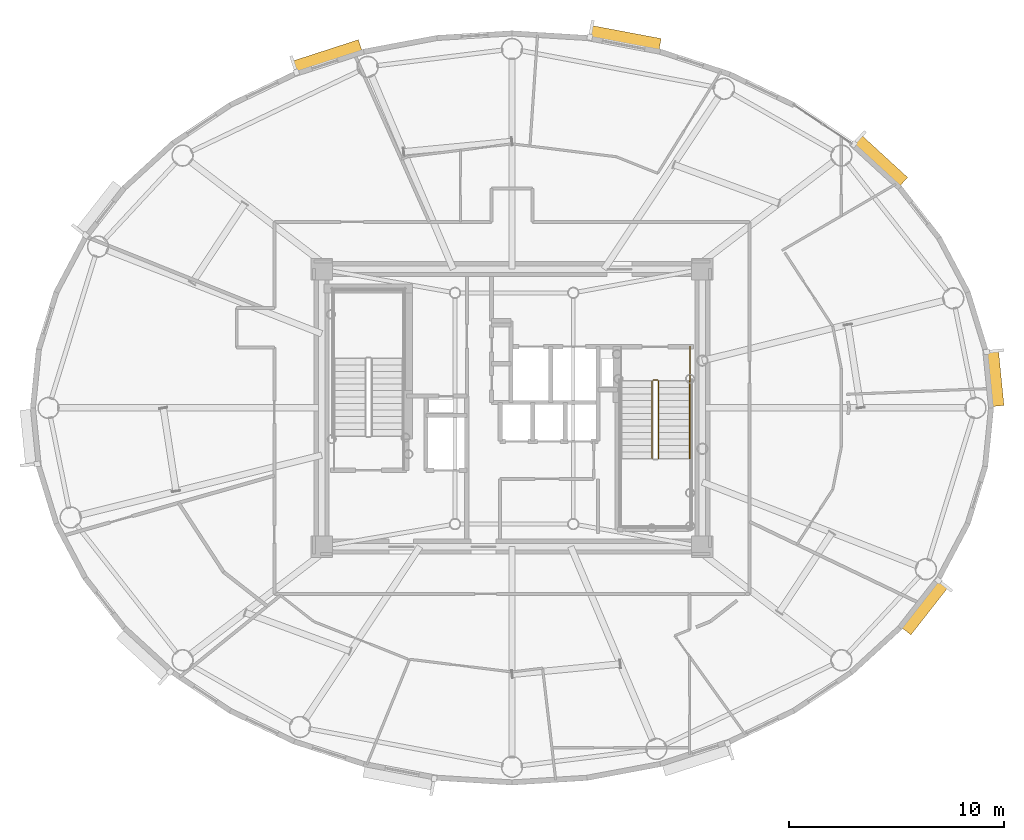
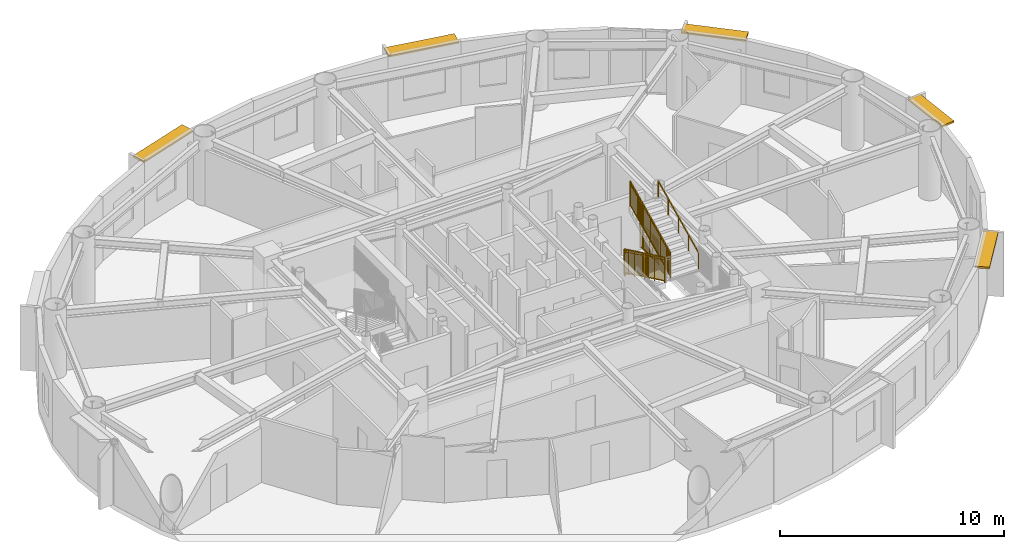
# One storey, part 16 of 16: 5 railings, 5 shading devices.
"""IFC4 building model written with IfcOpenShell, lengths in metres."""

from ifc_helpers import new_model, si_unit, direction, frame, origin, origin_2d, place, context, subcontext, project, spatial, rectangle, extrude, source, transform, mapped, material, layer, layer_set, type_object, element, save


model = new_model("IFC4")

# Units and contexts
model_context = context("Model", 3, precision=1e-05, world=origin(), true_north=direction((0.0, 1.0)))
body_context = subcontext(model_context, "Body", "Model", "MODEL_VIEW")
ifc_project = project(units=[si_unit("LENGTHUNIT", "METRE"), si_unit("AREAUNIT", "SQUARE_METRE"), si_unit("VOLUMEUNIT", "CUBIC_METRE"), si_unit("PLANEANGLEUNIT", "RADIAN"), si_unit("MASSUNIT", "GRAM", prefix="KILO")], contexts=[model_context])

# Site, building, storey
site_placement = place(None, origin())
site = spatial("IfcSite", under=ifc_project, at=site_placement, CompositionType="ELEMENT")
building_placement = place(site_placement, origin())
building = spatial("IfcBuilding", under=site, at=building_placement, Name="Linh Dai School and Residence Tower", CompositionType="ELEMENT")
storey_placement = place(building_placement, frame((0.0, 0.0, 306.75)))
storey = spatial("IfcBuildingStorey", under=building, at=storey_placement, Name="L76", CompositionType="ELEMENT", Elevation=306.75)

# Shading devices
ifc_material_1 = material(Name="Terracotta Ceramic Sunshade", Category="masonry")
ifc_layer = layer(ifc_material_1, 0.10009765625)
ifc_layer_set = layer_set([ifc_layer], Name="Terracotta Ceramic Sunshade")
shading_device_type = type_object("IfcShadingDeviceType", Name="SHD-TC-650", PredefinedType="USERDEFINED", material=ifc_layer_set)
shared_shape_1 = source(origin(), body_context, "Body", "SweptSolid", [
    extrude(rectangle(XDim=2.62353515625, YDim=0.64990234375, at=origin_2d()), origin(), (0.0, 0.0, 1.0), 0.10009765625),
])
shading_device_1_placement = place(storey_placement, frame((58.421875, 28.387939453125, 3.3798828125), z_axis=(0.0, 0.0, 1.0), x_axis=(0.100008034283, -0.994986629598, 0.0)))
element("IfcShadingDevice", 1, at=shading_device_1_placement, inside=storey, type_object=shading_device_type, Name="L76 Terracotta Horizontal Sunshade Band 01", ObjectType="SUNSHADE", PredefinedType="USERDEFINED", context=body_context, shape_type="MappedRepresentation", body=[
    mapped(shared_shape_1, transform((0.0, 0.0, 0.0), x_axis=(1.0, 0.0, 0.0), y_axis=(0.0, 1.0, 0.0), z_axis=(0.0, 0.0, 1.0), scale=1.0)),
])
shared_shape_2 = source(origin(), body_context, "Body", "SweptSolid", [
    extrude(rectangle(XDim=2.9541015625, YDim=0.64990234375, at=origin_2d()), origin(), (0.0, 0.0, 1.0), 0.10009765625),
])
shading_device_2_placement = place(storey_placement, frame((53.0888671875, 38.474609375, 3.3798828125), z_axis=(0.0, 0.0, 1.0), x_axis=(0.737105846394, -0.67577730889, 0.0)))
element("IfcShadingDevice", 2, at=shading_device_2_placement, inside=storey, type_object=shading_device_type, Name="L76 Terracotta Horizontal Sunshade Band 05", ObjectType="SUNSHADE", PredefinedType="USERDEFINED", context=body_context, shape_type="MappedRepresentation", body=[
    mapped(shared_shape_2, transform((0.0, 0.0, 0.0), x_axis=(1.0, 0.0, 0.0), y_axis=(0.0, 1.0, 0.0), z_axis=(0.0, 0.0, 1.0), scale=1.0)),
])
shared_shape_3 = source(origin(), body_context, "Body", "SweptSolid", [
    extrude(rectangle(XDim=3.323486328125, YDim=0.64990234375, at=origin_2d()), origin(), (0.0, 0.0, 1.0), 0.10009765625),
])
shading_device_3_placement = place(storey_placement, frame((41.24267578125, 44.160400390625, 3.3798828125), z_axis=(0.0, 0.0, 1.0), x_axis=(0.982785325002, -0.184751197452, 0.0)))
element("IfcShadingDevice", 3, at=shading_device_3_placement, inside=storey, type_object=shading_device_type, Name="L76 Terracotta Horizontal Sunshade Band 09", ObjectType="SUNSHADE", PredefinedType="USERDEFINED", context=body_context, shape_type="MappedRepresentation", body=[
    mapped(shared_shape_3, transform((0.0, 0.0, 0.0), x_axis=(1.0, 0.0, 0.0), y_axis=(0.0, 1.0, 0.0), z_axis=(0.0, 0.0, 1.0), scale=1.0)),
])
shared_shape_4 = source(origin(), body_context, "Body", "SweptSolid", [
    extrude(rectangle(XDim=3.26171875, YDim=0.64990234375, at=origin_2d()), origin(), (0.0, 0.0, 1.0), 0.10009765625),
])
shading_device_4_placement = place(storey_placement, frame((27.405029296875, 43.307373046875, 3.3798828125), z_axis=(0.0, 0.0, 1.0), x_axis=(0.951218243545, 0.308518805176, 0.0)))
element("IfcShadingDevice", 4, at=shading_device_4_placement, inside=storey, type_object=shading_device_type, Name="L76 Terracotta Horizontal Sunshade Band 13", ObjectType="SUNSHADE", PredefinedType="USERDEFINED", context=body_context, shape_type="MappedRepresentation", body=[
    mapped(shared_shape_4, transform((0.0, 0.0, 0.0), x_axis=(1.0, 0.0, 0.0), y_axis=(0.0, 1.0, 0.0), z_axis=(0.0, 0.0, 1.0), scale=1.0)),
])
shared_shape_5 = source(origin(), body_context, "Body", "SweptSolid", [
    extrude(rectangle(XDim=2.84033203125, YDim=0.64990234375, at=origin_2d()), origin(), (0.0, 0.0, 1.0), 0.10009765625),
])
shading_device_5_placement = place(storey_placement, frame((55.16650390625, 17.7646484375, 3.3798828125), z_axis=(0.0, 0.0, 1.0), x_axis=(-0.616310813471, -0.78750300393, 0.0)))
element("IfcShadingDevice", 5, at=shading_device_5_placement, inside=storey, type_object=shading_device_type, Name="L76 Terracotta Horizontal Sunshade Band 37", ObjectType="SUNSHADE", PredefinedType="USERDEFINED", context=body_context, shape_type="MappedRepresentation", body=[
    mapped(shared_shape_5, transform((0.0, 0.0, 0.0), x_axis=(1.0, 0.0, 0.0), y_axis=(0.0, 1.0, 0.0), z_axis=(0.0, 0.0, 1.0), scale=1.0)),
])

# Railings
ifc_material_2 = material(Name="Structural Steel S355JR", Category="steel")
railing_type_1 = type_object("IfcRailingType", Name="RL-ST-GUARD-1400", PredefinedType="GUARDRAIL", material=ifc_material_2)
shared_shape_6 = source(origin(), body_context, "Body", "SweptSolid", [
    extrude(rectangle(XDim=0.048095703125, YDim=0.048095703125, at=origin_2d()), frame((0.0, 0.0, 1.3759765625), z_axis=(0.0, 0.901262522062, 0.433273431364), x_axis=(-1.0, 0.0, 0.0)), (0.0, 0.0, 1.0), 3.994384765625),
    extrude(rectangle(XDim=0.048095703125, YDim=0.048095703125, at=origin_2d()), frame((0.0, 0.0, 0.10009765625), z_axis=(0.0, 0.901262522062, 0.433273431364), x_axis=(-1.0, 0.0, 0.0)), (0.0, 0.0, 1.0), 3.994384765625),
    extrude(rectangle(XDim=0.030029296875, YDim=0.030029296875, at=origin_2d()), frame((0.0, 0.0, 1.239990234375), z_axis=(0.0, 0.901262522062, 0.433273431364), x_axis=(-1.0, 0.0, 0.0)), (0.0, 0.0, 1.0), 3.994384765625),
    extrude(rectangle(XDim=0.02001953125, YDim=0.02001953125, at=origin_2d()), frame((0.0, 0.087890625, 0.142333984375)), (0.0, 0.0, 1.0), 1.251708984375),
    extrude(rectangle(XDim=0.02001953125, YDim=0.02001953125, at=origin_2d()), frame((0.0, 0.175537109375, 0.1845703125)), (0.0, 0.0, 1.0), 1.251708984375),
    extrude(rectangle(XDim=0.02001953125, YDim=0.02001953125, at=origin_2d()), frame((0.0, 0.263427734375, 0.226806640625)), (0.0, 0.0, 1.0), 1.251708984375),
    extrude(rectangle(XDim=0.02001953125, YDim=0.02001953125, at=origin_2d()), frame((0.0, 0.351318359375, 0.26904296875)), (0.0, 0.0, 1.0), 1.251708984375),
    extrude(rectangle(XDim=0.02001953125, YDim=0.02001953125, at=origin_2d()), frame((0.0, 0.43896484375, 0.311279296875)), (0.0, 0.0, 1.0), 1.251708984375),
    extrude(rectangle(XDim=0.02001953125, YDim=0.02001953125, at=origin_2d()), frame((0.0, 0.52685546875, 0.353271484375)), (0.0, 0.0, 1.0), 1.251708984375),
    extrude(rectangle(XDim=0.02001953125, YDim=0.02001953125, at=origin_2d()), frame((0.0, 0.61474609375, 0.3955078125)), (0.0, 0.0, 1.0), 1.251708984375),
    extrude(rectangle(XDim=0.02001953125, YDim=0.02001953125, at=origin_2d()), frame((0.0, 0.702392578125, 0.437744140625)), (0.0, 0.0, 1.0), 1.251708984375),
    extrude(rectangle(XDim=0.02001953125, YDim=0.02001953125, at=origin_2d()), frame((0.0, 0.790283203125, 0.47998046875)), (0.0, 0.0, 1.0), 1.251708984375),
    extrude(rectangle(XDim=0.02001953125, YDim=0.02001953125, at=origin_2d()), frame((0.0, 0.9658203125, 0.564453125)), (0.0, 0.0, 1.0), 1.251708984375),
    extrude(rectangle(XDim=0.02001953125, YDim=0.02001953125, at=origin_2d()), frame((0.0, 1.0537109375, 0.606689453125)), (0.0, 0.0, 1.0), 1.251708984375),
    extrude(rectangle(XDim=0.02001953125, YDim=0.02001953125, at=origin_2d()), frame((0.0, 1.1416015625, 0.64892578125)), (0.0, 0.0, 1.0), 1.251708984375),
    extrude(rectangle(XDim=0.02001953125, YDim=0.02001953125, at=origin_2d()), frame((0.0, 1.229248046875, 0.691162109375)), (0.0, 0.0, 1.0), 1.251708984375),
    extrude(rectangle(XDim=0.02001953125, YDim=0.02001953125, at=origin_2d()), frame((0.0, 1.317138671875, 0.7333984375)), (0.0, 0.0, 1.0), 1.251708984375),
    extrude(rectangle(XDim=0.02001953125, YDim=0.02001953125, at=origin_2d()), frame((0.0, 1.405029296875, 0.775390625)), (0.0, 0.0, 1.0), 1.251708984375),
    extrude(rectangle(XDim=0.02001953125, YDim=0.02001953125, at=origin_2d()), frame((0.0, 1.49267578125, 0.817626953125)), (0.0, 0.0, 1.0), 1.251708984375),
    extrude(rectangle(XDim=0.02001953125, YDim=0.02001953125, at=origin_2d()), frame((0.0, 1.58056640625, 0.85986328125)), (0.0, 0.0, 1.0), 1.251708984375),
    extrude(rectangle(XDim=0.02001953125, YDim=0.02001953125, at=origin_2d()), frame((0.0, 1.66845703125, 0.902099609375)), (0.0, 0.0, 1.0), 1.251708984375),
    extrude(rectangle(XDim=0.02001953125, YDim=0.02001953125, at=origin_2d()), frame((0.0, 1.756103515625, 0.9443359375)), (0.0, 0.0, 1.0), 1.251708984375),
    extrude(rectangle(XDim=0.02001953125, YDim=0.02001953125, at=origin_2d()), frame((0.0, 1.843994140625, 0.986572265625)), (0.0, 0.0, 1.0), 1.251708984375),
    extrude(rectangle(XDim=0.02001953125, YDim=0.02001953125, at=origin_2d()), frame((0.0, 1.931640625, 1.02880859375)), (0.0, 0.0, 1.0), 1.251708984375),
    extrude(rectangle(XDim=0.02001953125, YDim=0.02001953125, at=origin_2d()), frame((0.0, 2.01953125, 1.071044921875)), (0.0, 0.0, 1.0), 1.251708984375),
    extrude(rectangle(XDim=0.02001953125, YDim=0.02001953125, at=origin_2d()), frame((0.0, 2.107421875, 1.11328125)), (0.0, 0.0, 1.0), 1.251708984375),
    extrude(rectangle(XDim=0.02001953125, YDim=0.02001953125, at=origin_2d()), frame((0.0, 2.195068359375, 1.155517578125)), (0.0, 0.0, 1.0), 1.251708984375),
    extrude(rectangle(XDim=0.02001953125, YDim=0.02001953125, at=origin_2d()), frame((0.0, 2.282958984375, 1.197509765625)), (0.0, 0.0, 1.0), 1.251708984375),
    extrude(rectangle(XDim=0.02001953125, YDim=0.02001953125, at=origin_2d()), frame((0.0, 2.370849609375, 1.23974609375)), (0.0, 0.0, 1.0), 1.251708984375),
    extrude(rectangle(XDim=0.02001953125, YDim=0.02001953125, at=origin_2d()), frame((0.0, 2.45849609375, 1.281982421875)), (0.0, 0.0, 1.0), 1.251708984375),
    extrude(rectangle(XDim=0.02001953125, YDim=0.02001953125, at=origin_2d()), frame((0.0, 2.54638671875, 1.32421875)), (0.0, 0.0, 1.0), 1.251708984375),
    extrude(rectangle(XDim=0.02001953125, YDim=0.02001953125, at=origin_2d()), frame((0.0, 2.63427734375, 1.366455078125)), (0.0, 0.0, 1.0), 1.251708984375),
    extrude(rectangle(XDim=0.02001953125, YDim=0.02001953125, at=origin_2d()), frame((0.0, 2.809814453125, 1.450927734375)), (0.0, 0.0, 1.0), 1.251708984375),
    extrude(rectangle(XDim=0.02001953125, YDim=0.02001953125, at=origin_2d()), frame((0.0, 2.897705078125, 1.4931640625)), (0.0, 0.0, 1.0), 1.251708984375),
    extrude(rectangle(XDim=0.02001953125, YDim=0.02001953125, at=origin_2d()), frame((0.0, 2.9853515625, 1.535400390625)), (0.0, 0.0, 1.0), 1.251708984375),
    extrude(rectangle(XDim=0.02001953125, YDim=0.02001953125, at=origin_2d()), frame((0.0, 3.0732421875, 1.57763671875)), (0.0, 0.0, 1.0), 1.251708984375),
    extrude(rectangle(XDim=0.02001953125, YDim=0.02001953125, at=origin_2d()), frame((0.0, 3.1611328125, 1.61962890625)), (0.0, 0.0, 1.0), 1.251708984375),
    extrude(rectangle(XDim=0.02001953125, YDim=0.02001953125, at=origin_2d()), frame((0.0, 3.248779296875, 1.661865234375)), (0.0, 0.0, 1.0), 1.251708984375),
    extrude(rectangle(XDim=0.02001953125, YDim=0.02001953125, at=origin_2d()), frame((0.0, 3.336669921875, 1.7041015625)), (0.0, 0.0, 1.0), 1.251708984375),
    extrude(rectangle(XDim=0.02001953125, YDim=0.02001953125, at=origin_2d()), frame((0.0, 3.424560546875, 1.746337890625)), (0.0, 0.0, 1.0), 1.251708984375),
    extrude(rectangle(XDim=0.02001953125, YDim=0.02001953125, at=origin_2d()), frame((0.0, 3.51220703125, 1.78857421875)), (0.0, 0.0, 1.0), 1.251708984375),
    extrude(rectangle(XDim=0.0419921875, YDim=0.0419921875, at=origin_2d()), origin(), (0.0, 0.0, 1.0), 1.3759765625),
    extrude(rectangle(XDim=0.0419921875, YDim=0.0419921875, at=origin_2d()), frame((0.0, 0.89990234375, 0.4326171875)), (0.0, 0.0, 1.0), 1.3759765625),
    extrude(rectangle(XDim=0.0419921875, YDim=0.0419921875, at=origin_2d()), frame((0.0, 1.800048828125, 0.865234375)), (0.0, 0.0, 1.0), 1.3759765625),
    extrude(rectangle(XDim=0.0419921875, YDim=0.0419921875, at=origin_2d()), frame((0.0, 2.7001953125, 1.298095703125)), (0.0, 0.0, 1.0), 1.3759765625),
    extrude(rectangle(XDim=0.0419921875, YDim=0.0419921875, at=origin_2d()), frame((0.0, 3.60009765625, 1.730712890625)), (0.0, 0.0, 1.0), 1.3759765625),
])
railing_1_placement = place(storey_placement, frame((42.820068359375, 24.64990234375, 2.019287109375)))
element("IfcRailing", 6, at=railing_1_placement, inside=storey, type_object=railing_type_1, Name="L76 ST2 stair guard 6", PredefinedType="GUARDRAIL", context=body_context, shape_type="MappedRepresentation", body=[
    mapped(shared_shape_6, transform((0.0, 0.0, 0.0), x_axis=(1.0, 0.0, 0.0), y_axis=(0.0, 1.0, 0.0), z_axis=(0.0, 0.0, 1.0), scale=1.0)),
])
shared_shape_7 = source(origin(), body_context, "Body", "SweptSolid", [
    extrude(rectangle(XDim=0.048095703125, YDim=0.048095703125, at=origin_2d()), frame((0.0, 0.0, 1.3759765625), z_axis=(0.0, -0.901262522062, 0.433273431364), x_axis=(1.0, 0.0, 0.0)), (0.0, 0.0, 1.0), 3.994384765625),
    extrude(rectangle(XDim=0.048095703125, YDim=0.048095703125, at=origin_2d()), frame((0.0, 0.0, 0.10009765625), z_axis=(0.0, -0.901262522062, 0.433273431364), x_axis=(1.0, 0.0, 0.0)), (0.0, 0.0, 1.0), 3.994384765625),
    extrude(rectangle(XDim=0.030029296875, YDim=0.030029296875, at=origin_2d()), frame((0.0, 0.0, 1.239990234375), z_axis=(0.0, -0.901262522062, 0.433273431364), x_axis=(1.0, 0.0, 0.0)), (0.0, 0.0, 1.0), 3.994384765625),
    extrude(rectangle(XDim=0.02001953125, YDim=0.02001953125, at=origin_2d()), frame((0.0, -0.087890625, 0.142333984375)), (0.0, 0.0, 1.0), 1.251708984375),
    extrude(rectangle(XDim=0.02001953125, YDim=0.02001953125, at=origin_2d()), frame((0.0, -0.175537109375, 0.1845703125)), (0.0, 0.0, 1.0), 1.251708984375),
    extrude(rectangle(XDim=0.02001953125, YDim=0.02001953125, at=origin_2d()), frame((0.0, -0.263427734375, 0.226806640625)), (0.0, 0.0, 1.0), 1.251708984375),
    extrude(rectangle(XDim=0.02001953125, YDim=0.02001953125, at=origin_2d()), frame((0.0, -0.351318359375, 0.26904296875)), (0.0, 0.0, 1.0), 1.251708984375),
    extrude(rectangle(XDim=0.02001953125, YDim=0.02001953125, at=origin_2d()), frame((0.0, -0.43896484375, 0.311279296875)), (0.0, 0.0, 1.0), 1.251708984375),
    extrude(rectangle(XDim=0.02001953125, YDim=0.02001953125, at=origin_2d()), frame((0.0, -0.52685546875, 0.353271484375)), (0.0, 0.0, 1.0), 1.251708984375),
    extrude(rectangle(XDim=0.02001953125, YDim=0.02001953125, at=origin_2d()), frame((0.0, -0.61474609375, 0.3955078125)), (0.0, 0.0, 1.0), 1.251708984375),
    extrude(rectangle(XDim=0.02001953125, YDim=0.02001953125, at=origin_2d()), frame((0.0, -0.702392578125, 0.437744140625)), (0.0, 0.0, 1.0), 1.251708984375),
    extrude(rectangle(XDim=0.02001953125, YDim=0.02001953125, at=origin_2d()), frame((0.0, -0.790283203125, 0.47998046875)), (0.0, 0.0, 1.0), 1.251708984375),
    extrude(rectangle(XDim=0.02001953125, YDim=0.02001953125, at=origin_2d()), frame((0.0, -0.9658203125, 0.564453125)), (0.0, 0.0, 1.0), 1.251708984375),
    extrude(rectangle(XDim=0.02001953125, YDim=0.02001953125, at=origin_2d()), frame((0.0, -1.0537109375, 0.606689453125)), (0.0, 0.0, 1.0), 1.251708984375),
    extrude(rectangle(XDim=0.02001953125, YDim=0.02001953125, at=origin_2d()), frame((0.0, -1.1416015625, 0.64892578125)), (0.0, 0.0, 1.0), 1.251708984375),
    extrude(rectangle(XDim=0.02001953125, YDim=0.02001953125, at=origin_2d()), frame((0.0, -1.229248046875, 0.691162109375)), (0.0, 0.0, 1.0), 1.251708984375),
    extrude(rectangle(XDim=0.02001953125, YDim=0.02001953125, at=origin_2d()), frame((0.0, -1.317138671875, 0.7333984375)), (0.0, 0.0, 1.0), 1.251708984375),
    extrude(rectangle(XDim=0.02001953125, YDim=0.02001953125, at=origin_2d()), frame((0.0, -1.405029296875, 0.775390625)), (0.0, 0.0, 1.0), 1.251708984375),
    extrude(rectangle(XDim=0.02001953125, YDim=0.02001953125, at=origin_2d()), frame((0.0, -1.49267578125, 0.817626953125)), (0.0, 0.0, 1.0), 1.251708984375),
    extrude(rectangle(XDim=0.02001953125, YDim=0.02001953125, at=origin_2d()), frame((0.0, -1.58056640625, 0.85986328125)), (0.0, 0.0, 1.0), 1.251708984375),
    extrude(rectangle(XDim=0.02001953125, YDim=0.02001953125, at=origin_2d()), frame((0.0, -1.66845703125, 0.902099609375)), (0.0, 0.0, 1.0), 1.251708984375),
    extrude(rectangle(XDim=0.02001953125, YDim=0.02001953125, at=origin_2d()), frame((0.0, -1.756103515625, 0.9443359375)), (0.0, 0.0, 1.0), 1.251708984375),
    extrude(rectangle(XDim=0.02001953125, YDim=0.02001953125, at=origin_2d()), frame((0.0, -1.843994140625, 0.986572265625)), (0.0, 0.0, 1.0), 1.251708984375),
    extrude(rectangle(XDim=0.02001953125, YDim=0.02001953125, at=origin_2d()), frame((0.0, -1.931640625, 1.02880859375)), (0.0, 0.0, 1.0), 1.251708984375),
    extrude(rectangle(XDim=0.02001953125, YDim=0.02001953125, at=origin_2d()), frame((0.0, -2.01953125, 1.071044921875)), (0.0, 0.0, 1.0), 1.251708984375),
    extrude(rectangle(XDim=0.02001953125, YDim=0.02001953125, at=origin_2d()), frame((0.0, -2.107421875, 1.11328125)), (0.0, 0.0, 1.0), 1.251708984375),
    extrude(rectangle(XDim=0.02001953125, YDim=0.02001953125, at=origin_2d()), frame((0.0, -2.195068359375, 1.155517578125)), (0.0, 0.0, 1.0), 1.251708984375),
    extrude(rectangle(XDim=0.02001953125, YDim=0.02001953125, at=origin_2d()), frame((0.0, -2.282958984375, 1.197509765625)), (0.0, 0.0, 1.0), 1.251708984375),
    extrude(rectangle(XDim=0.02001953125, YDim=0.02001953125, at=origin_2d()), frame((0.0, -2.370849609375, 1.23974609375)), (0.0, 0.0, 1.0), 1.251708984375),
    extrude(rectangle(XDim=0.02001953125, YDim=0.02001953125, at=origin_2d()), frame((0.0, -2.45849609375, 1.281982421875)), (0.0, 0.0, 1.0), 1.251708984375),
    extrude(rectangle(XDim=0.02001953125, YDim=0.02001953125, at=origin_2d()), frame((0.0, -2.54638671875, 1.32421875)), (0.0, 0.0, 1.0), 1.251708984375),
    extrude(rectangle(XDim=0.02001953125, YDim=0.02001953125, at=origin_2d()), frame((0.0, -2.63427734375, 1.366455078125)), (0.0, 0.0, 1.0), 1.251708984375),
    extrude(rectangle(XDim=0.02001953125, YDim=0.02001953125, at=origin_2d()), frame((0.0, -2.809814453125, 1.450927734375)), (0.0, 0.0, 1.0), 1.251708984375),
    extrude(rectangle(XDim=0.02001953125, YDim=0.02001953125, at=origin_2d()), frame((0.0, -2.897705078125, 1.4931640625)), (0.0, 0.0, 1.0), 1.251708984375),
    extrude(rectangle(XDim=0.02001953125, YDim=0.02001953125, at=origin_2d()), frame((0.0, -2.9853515625, 1.535400390625)), (0.0, 0.0, 1.0), 1.251708984375),
    extrude(rectangle(XDim=0.02001953125, YDim=0.02001953125, at=origin_2d()), frame((0.0, -3.0732421875, 1.57763671875)), (0.0, 0.0, 1.0), 1.251708984375),
    extrude(rectangle(XDim=0.02001953125, YDim=0.02001953125, at=origin_2d()), frame((0.0, -3.1611328125, 1.61962890625)), (0.0, 0.0, 1.0), 1.251708984375),
    extrude(rectangle(XDim=0.02001953125, YDim=0.02001953125, at=origin_2d()), frame((0.0, -3.248779296875, 1.661865234375)), (0.0, 0.0, 1.0), 1.251708984375),
    extrude(rectangle(XDim=0.02001953125, YDim=0.02001953125, at=origin_2d()), frame((0.0, -3.336669921875, 1.7041015625)), (0.0, 0.0, 1.0), 1.251708984375),
    extrude(rectangle(XDim=0.02001953125, YDim=0.02001953125, at=origin_2d()), frame((0.0, -3.424560546875, 1.746337890625)), (0.0, 0.0, 1.0), 1.251708984375),
    extrude(rectangle(XDim=0.02001953125, YDim=0.02001953125, at=origin_2d()), frame((0.0, -3.51220703125, 1.78857421875)), (0.0, 0.0, 1.0), 1.251708984375),
    extrude(rectangle(XDim=0.0419921875, YDim=0.0419921875, at=origin_2d()), origin(), (0.0, 0.0, 1.0), 1.3759765625),
    extrude(rectangle(XDim=0.0419921875, YDim=0.0419921875, at=origin_2d()), frame((0.0, -0.89990234375, 0.4326171875)), (0.0, 0.0, 1.0), 1.3759765625),
    extrude(rectangle(XDim=0.0419921875, YDim=0.0419921875, at=origin_2d()), frame((0.0, -1.800048828125, 0.865234375)), (0.0, 0.0, 1.0), 1.3759765625),
    extrude(rectangle(XDim=0.0419921875, YDim=0.0419921875, at=origin_2d()), frame((0.0, -2.7001953125, 1.298095703125)), (0.0, 0.0, 1.0), 1.3759765625),
    extrude(rectangle(XDim=0.0419921875, YDim=0.0419921875, at=origin_2d()), frame((0.0, -3.60009765625, 1.730712890625)), (0.0, 0.0, 1.0), 1.3759765625),
])
railing_2_placement = place(storey_placement, frame((42.52001953125, 28.25, 0.144287109375)))
element("IfcRailing", 7, at=railing_2_placement, inside=storey, type_object=railing_type_1, Name="L76 ST2 stair guard 1", PredefinedType="GUARDRAIL", context=body_context, shape_type="MappedRepresentation", body=[
    mapped(shared_shape_7, transform((0.0, 0.0, 0.0), x_axis=(1.0, 0.0, 0.0), y_axis=(0.0, 1.0, 0.0), z_axis=(0.0, 0.0, 1.0), scale=1.0)),
])
ifc_material_3 = material(Name="Brushed Stainless Steel Handrail", Category="steel")
railing_type_2 = type_object("IfcRailingType", Name="RL-ST-HANDRAIL-900", PredefinedType="HANDRAIL", material=ifc_material_3)
shared_shape_8 = source(origin(), body_context, "Body", "SweptSolid", [
    extrude(rectangle(XDim=0.048095703125, YDim=0.048095703125, at=origin_2d()), frame((0.0, 0.0, 0.8759765625), z_axis=(0.0, 0.901262522062, 0.433273431364), x_axis=(-1.0, 0.0, 0.0)), (0.0, 0.0, 1.0), 3.994384765625),
    extrude(rectangle(XDim=0.0419921875, YDim=0.0419921875, at=origin_2d()), origin(), (0.0, 0.0, 1.0), 0.8759765625),
    extrude(rectangle(XDim=0.0419921875, YDim=0.0419921875, at=origin_2d()), frame((0.0, 0.89990234375, 0.4326171875)), (0.0, 0.0, 1.0), 0.8759765625),
    extrude(rectangle(XDim=0.0419921875, YDim=0.0419921875, at=origin_2d()), frame((0.0, 1.800048828125, 0.865234375)), (0.0, 0.0, 1.0), 0.8759765625),
    extrude(rectangle(XDim=0.0419921875, YDim=0.0419921875, at=origin_2d()), frame((0.0, 2.7001953125, 1.298095703125)), (0.0, 0.0, 1.0), 0.8759765625),
    extrude(rectangle(XDim=0.0419921875, YDim=0.0419921875, at=origin_2d()), frame((0.0, 3.60009765625, 1.730712890625)), (0.0, 0.0, 1.0), 0.8759765625),
])
railing_3_placement = place(storey_placement, frame((44.27001953125, 24.64990234375, 2.019287109375)))
element("IfcRailing", 8, at=railing_3_placement, inside=storey, type_object=railing_type_2, Name="L76 ST2 stair handrail 2", PredefinedType="HANDRAIL", context=body_context, shape_type="MappedRepresentation", body=[
    mapped(shared_shape_8, transform((0.0, 0.0, 0.0), x_axis=(1.0, 0.0, 0.0), y_axis=(0.0, 1.0, 0.0), z_axis=(0.0, 0.0, 1.0), scale=1.0)),
])
shared_shape_9 = source(origin(), body_context, "Body", "SweptSolid", [
    extrude(rectangle(XDim=0.048095703125, YDim=0.048095703125, at=origin_2d()), frame((0.0, 0.0, 1.3759765625), z_axis=(1.0, 0.0, 0.0), x_axis=(0.0, 1.0, 0.0)), (0.0, 0.0, 1.0), 0.199951171875),
    extrude(rectangle(XDim=0.048095703125, YDim=0.048095703125, at=origin_2d()), frame((0.0, 0.0, 0.10009765625), z_axis=(1.0, 0.0, 0.0), x_axis=(0.0, 1.0, 0.0)), (0.0, 0.0, 1.0), 0.199951171875),
    extrude(rectangle(XDim=0.030029296875, YDim=0.030029296875, at=origin_2d()), frame((0.0, 0.0, 1.239990234375), z_axis=(1.0, 0.0, 0.0), x_axis=(0.0, 1.0, 0.0)), (0.0, 0.0, 1.0), 0.199951171875),
    extrude(rectangle(XDim=0.0419921875, YDim=0.0419921875, at=origin_2d()), origin(), (0.0, 0.0, 1.0), 1.3759765625),
    extrude(rectangle(XDim=0.0419921875, YDim=0.0419921875, at=origin_2d()), frame((0.199951171875, 0.0, 0.0)), (0.0, 0.0, 1.0), 1.3759765625),
])
railing_4_placement = place(storey_placement, frame((42.570068359375, 28.300048828125, 0.0)))
element("IfcRailing", 9, at=railing_4_placement, inside=storey, type_object=railing_type_1, Name="L76 ST2 stair guard 7", PredefinedType="GUARDRAIL", context=body_context, shape_type="MappedRepresentation", body=[
    mapped(shared_shape_9, transform((0.0, 0.0, 0.0), x_axis=(1.0, 0.0, 0.0), y_axis=(0.0, 1.0, 0.0), z_axis=(0.0, 0.0, 1.0), scale=1.0)),
])
shared_shape_10 = source(origin(), body_context, "Body", "SweptSolid", [
    extrude(rectangle(XDim=0.048095703125, YDim=0.048095703125, at=origin_2d()), frame((0.0, 0.0, 1.3759765625), z_axis=(0.0, -1.0, 0.0), x_axis=(1.0, 0.0, 0.0)), (0.0, 0.0, 1.0), 1.60009765625),
    extrude(rectangle(XDim=0.048095703125, YDim=0.048095703125, at=origin_2d()), frame((0.0, 0.0, 0.10009765625), z_axis=(0.0, -1.0, 0.0), x_axis=(1.0, 0.0, 0.0)), (0.0, 0.0, 1.0), 1.60009765625),
    extrude(rectangle(XDim=0.030029296875, YDim=0.030029296875, at=origin_2d()), frame((0.0, 0.0, 1.239990234375), z_axis=(0.0, -1.0, 0.0), x_axis=(1.0, 0.0, 0.0)), (0.0, 0.0, 1.0), 1.60009765625),
    extrude(rectangle(XDim=0.02001953125, YDim=0.02001953125, at=origin_2d()), frame((0.0, -0.09423828125, 0.10009765625)), (0.0, 0.0, 1.0), 1.251708984375),
    extrude(rectangle(XDim=0.02001953125, YDim=0.02001953125, at=origin_2d()), frame((0.0, -0.188232421875, 0.10009765625)), (0.0, 0.0, 1.0), 1.251708984375),
    extrude(rectangle(XDim=0.02001953125, YDim=0.02001953125, at=origin_2d()), frame((0.0, -0.282470703125, 0.10009765625)), (0.0, 0.0, 1.0), 1.251708984375),
    extrude(rectangle(XDim=0.02001953125, YDim=0.02001953125, at=origin_2d()), frame((0.0, -0.37646484375, 0.10009765625)), (0.0, 0.0, 1.0), 1.251708984375),
    extrude(rectangle(XDim=0.02001953125, YDim=0.02001953125, at=origin_2d()), frame((0.0, -0.470703125, 0.10009765625)), (0.0, 0.0, 1.0), 1.251708984375),
    extrude(rectangle(XDim=0.02001953125, YDim=0.02001953125, at=origin_2d()), frame((0.0, -0.564697265625, 0.10009765625)), (0.0, 0.0, 1.0), 1.251708984375),
    extrude(rectangle(XDim=0.02001953125, YDim=0.02001953125, at=origin_2d()), frame((0.0, -0.658935546875, 0.10009765625)), (0.0, 0.0, 1.0), 1.251708984375),
    extrude(rectangle(XDim=0.02001953125, YDim=0.02001953125, at=origin_2d()), frame((0.0, -0.7529296875, 0.10009765625)), (0.0, 0.0, 1.0), 1.251708984375),
    extrude(rectangle(XDim=0.02001953125, YDim=0.02001953125, at=origin_2d()), frame((0.0, -0.84716796875, 0.10009765625)), (0.0, 0.0, 1.0), 1.251708984375),
    extrude(rectangle(XDim=0.02001953125, YDim=0.02001953125, at=origin_2d()), frame((0.0, -0.941162109375, 0.10009765625)), (0.0, 0.0, 1.0), 1.251708984375),
    extrude(rectangle(XDim=0.02001953125, YDim=0.02001953125, at=origin_2d()), frame((0.0, -1.035400390625, 0.10009765625)), (0.0, 0.0, 1.0), 1.251708984375),
    extrude(rectangle(XDim=0.02001953125, YDim=0.02001953125, at=origin_2d()), frame((0.0, -1.12939453125, 0.10009765625)), (0.0, 0.0, 1.0), 1.251708984375),
    extrude(rectangle(XDim=0.02001953125, YDim=0.02001953125, at=origin_2d()), frame((0.0, -1.2236328125, 0.10009765625)), (0.0, 0.0, 1.0), 1.251708984375),
    extrude(rectangle(XDim=0.02001953125, YDim=0.02001953125, at=origin_2d()), frame((0.0, -1.317626953125, 0.10009765625)), (0.0, 0.0, 1.0), 1.251708984375),
    extrude(rectangle(XDim=0.02001953125, YDim=0.02001953125, at=origin_2d()), frame((0.0, -1.411865234375, 0.10009765625)), (0.0, 0.0, 1.0), 1.251708984375),
    extrude(rectangle(XDim=0.02001953125, YDim=0.02001953125, at=origin_2d()), frame((0.0, -1.505859375, 0.10009765625)), (0.0, 0.0, 1.0), 1.251708984375),
    extrude(rectangle(XDim=0.0419921875, YDim=0.0419921875, at=origin_2d()), origin(), (0.0, 0.0, 1.0), 1.3759765625),
    extrude(rectangle(XDim=0.0419921875, YDim=0.0419921875, at=origin_2d()), frame((0.0, -0.800048828125, 0.0)), (0.0, 0.0, 1.0), 1.3759765625),
    extrude(rectangle(XDim=0.0419921875, YDim=0.0419921875, at=origin_2d()), frame((0.0, -1.60009765625, 0.0)), (0.0, 0.0, 1.0), 1.3759765625),
])
railing_5_placement = place(storey_placement, frame((44.27001953125, 29.85009765625, 0.0)))
element("IfcRailing", 10, at=railing_5_placement, inside=storey, type_object=railing_type_1, Name="L76 ST2 stair guard 9", PredefinedType="GUARDRAIL", context=body_context, shape_type="MappedRepresentation", body=[
    mapped(shared_shape_10, transform((0.0, 0.0, 0.0), x_axis=(1.0, 0.0, 0.0), y_axis=(0.0, 1.0, 0.0), z_axis=(0.0, 0.0, 1.0), scale=1.0)),
])

save(model, "model.ifc")
